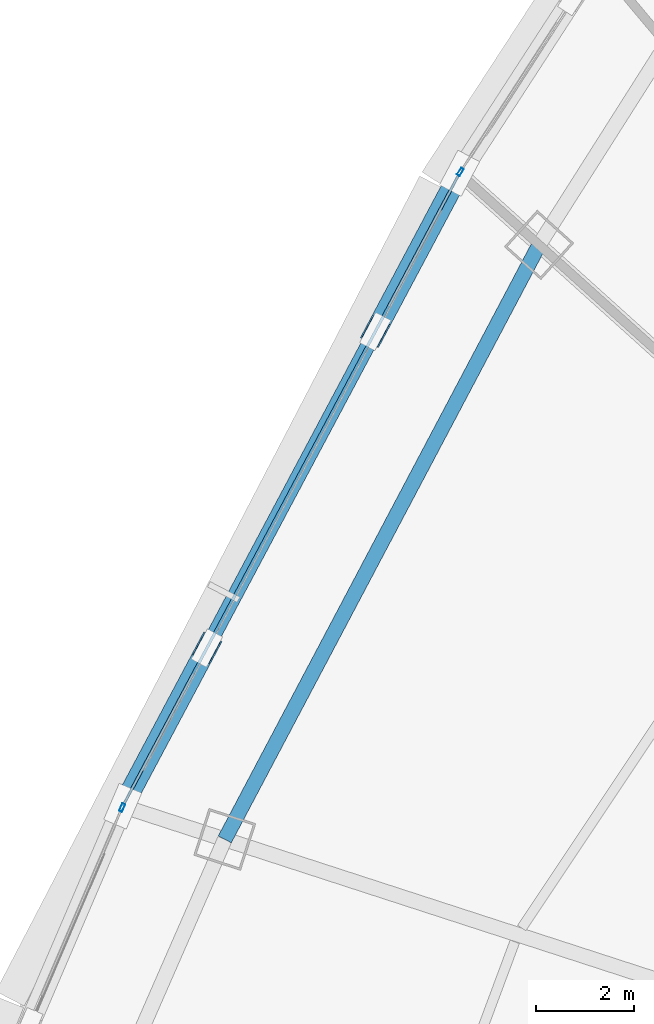
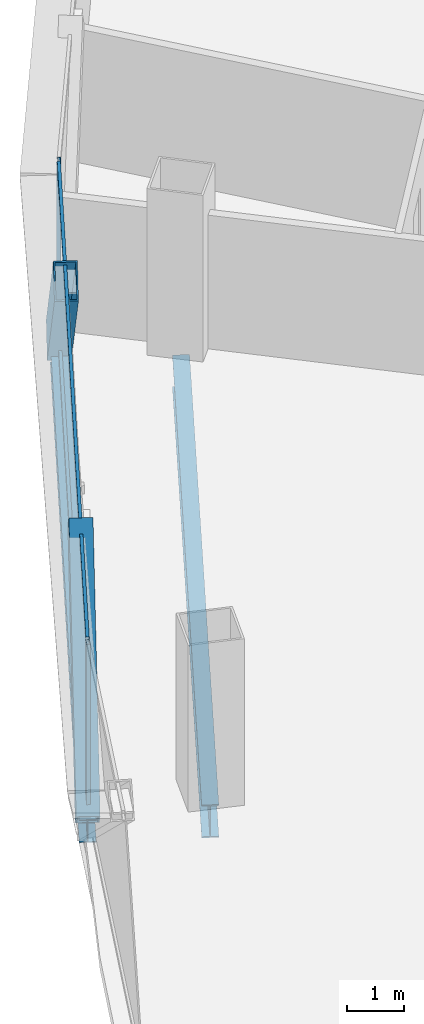
# One storey, part 14 of 38: 6 members, 2 beams, 3 elements without a shape of their own.
"""IFC4 building model written with IfcOpenShell, lengths in metres."""

from ifc_helpers import new_model, si_unit, direction, frame, origin, origin_2d, place, context, subcontext, project, spatial, hollow_rectangle, i_section, extrude, source, transform, mapped, material, layer, layer_set, material_profile, profile_set, type_object, element, aggregate, save


model = new_model("IFC4")

# Units and contexts
model_context = context("Model", 3, precision=1e-05, world=origin(), true_north=direction((0.0, 1.0)))
body_context = subcontext(model_context, "Body", "Model", "MODEL_VIEW")
ifc_project = project(units=[si_unit("LENGTHUNIT", "METRE"), si_unit("AREAUNIT", "SQUARE_METRE"), si_unit("VOLUMEUNIT", "CUBIC_METRE"), si_unit("PLANEANGLEUNIT", "RADIAN"), si_unit("MASSUNIT", "GRAM", prefix="KILO"), si_unit("THERMODYNAMICTEMPERATUREUNIT", "KELVIN"), si_unit("POWERUNIT", "WATT")], contexts=[model_context])

# Site, building, storey
site_placement = place(None, origin())
site = spatial("IfcSite", under=ifc_project, at=site_placement, CompositionType="ELEMENT")
building_placement = place(site_placement, origin())
building = spatial("IfcBuilding", under=site, at=building_placement, Name="Yunzhuo Pagoda Commons", CompositionType="ELEMENT")
storey_placement = place(building_placement, frame((0.0, 0.0, 81.179931640625)))
storey = spatial("IfcBuildingStorey", under=building, at=storey_placement, Name="L20", CompositionType="ELEMENT", Elevation=81.179931640625)

# Beams
ifc_material_1 = material(Name="Structural steel Q355B", Category="steel")
ifc_material_profile_1 = material_profile(ifc_material_1, i_section(OverallWidth=0.300048828125, OverallDepth=0.488037109375, WebThickness=0.010986328125, FlangeThickness=0.01806640625, at=origin_2d()), Name="Structural steel Q355B")
ifc_profile_set_1 = profile_set([ifc_material_profile_1], Name="Structural steel Q355B")
beam_type_1 = type_object("IfcBeamType", Name="B-SP1 Beam HM 488x300x11x18", PredefinedType="BEAM", material=ifc_profile_set_1)
shared_shape_1 = source(origin(), body_context, "Body", "SweptSolid", [
    extrude(i_section(OverallWidth=0.300048828125, OverallDepth=0.488037109375, WebThickness=0.010986328125, FlangeThickness=0.01806640625, at=origin_2d()), origin(), (0.0, 0.0, 1.0), 14.572265625),
])
beam_1_placement = place(storey_placement, frame((21.7802734375, 57.308349609375, -0.50390625), z_axis=(-0.46974105662, -0.882804247682, 0.0), x_axis=(0.882804247682, -0.46974105662, 0.0)))
element("IfcBeam", 1, at=beam_1_placement, inside=storey, type_object=beam_type_1, Name="L20 facade edge spandrel beam F3.2", PredefinedType="BEAM", context=body_context, shape_type="MappedRepresentation", body=[
    mapped(shared_shape_1, transform((0.0, 0.0, 0.0), scale=1.0)),
])
ifc_material_profile_2 = material_profile(ifc_material_1, i_section(OverallWidth=0.300048828125, OverallDepth=0.699951171875, WebThickness=0.012939453125, FlangeThickness=0.02392578125, at=origin_2d()), Name="Structural steel Q355B")
ifc_profile_set_2 = profile_set([ifc_material_profile_2], Name="Structural steel Q355B")
beam_type_2 = type_object("IfcBeamType", Name="B-RG1 Beam HN 700x300x13x24", PredefinedType="BEAM", material=ifc_profile_set_2)
shared_shape_2 = source(origin(), body_context, "Body", "SweptSolid", [
    extrude(i_section(OverallWidth=0.300048828125, OverallDepth=0.699951171875, WebThickness=0.012939453125, FlangeThickness=0.02392578125, at=origin_2d()), origin(), (0.0, 0.0, 1.0), 13.66748046875),
])
beam_2_placement = place(storey_placement, frame((23.397216796875, 55.852294921875, -0.60986328125), z_axis=(-0.467383716456, -0.88405455804, 0.0), x_axis=(0.88405455804, -0.467383716456, 0.0)))
element("IfcBeam", 2, at=beam_2_placement, inside=storey, type_object=beam_type_2, Name="L20 column-ring beam 10", PredefinedType="BEAM", context=body_context, shape_type="MappedRepresentation", body=[
    mapped(shared_shape_2, transform((0.0, 0.0, 0.0), scale=1.0)),
])

# Members
ifc_material_2 = material(Name="Structural steel Q420B", Category="steel")
ifc_material_profile_3 = material_profile(ifc_material_2, hollow_rectangle(XDim=0.419921875, YDim=0.719970703125, WallThickness=0.028076171875, at=origin_2d()), Name="Structural steel Q420B")
ifc_profile_set_3 = profile_set([ifc_material_profile_3], Name="Structural steel Q420B")
member_type_1 = type_object("IfcMemberType", Name="M-DL1 Brace BOX 720x420x28", PredefinedType="BRACE", material=ifc_profile_set_3)
shared_shape_3 = source(origin(), body_context, "Body", "SweptSolid", [
    extrude(hollow_rectangle(XDim=0.419921875, YDim=0.719970703125, WallThickness=0.028076171875, at=origin_2d()), origin(), (0.0, 0.0, 1.0), 5.26416015625),
])
member_1_placement = place(storey_placement, frame((21.7802734375, 57.308349609375, -0.260009765625), z_axis=(-0.325102900976, -0.610924467127, 0.721858295819), x_axis=(0.88278665507, -0.469774117668, 0.0)))
element("IfcMember", 3, at=member_1_placement, inside=storey, type_object=member_type_1, Name="L20 facade diamond brace F3.2L", PredefinedType="BRACE", context=body_context, shape_type="MappedRepresentation", body=[
    mapped(shared_shape_3, transform((0.0, 0.0, 0.0), scale=1.0)),
])
shared_shape_4 = source(origin(), body_context, "Body", "SweptSolid", [
    extrude(hollow_rectangle(XDim=0.419921875, YDim=0.719970703125, WallThickness=0.028076171875, at=origin_2d()), origin(), (0.0, 0.0, 1.0), 5.263916015625),
])
member_2_placement = place(storey_placement, frame((14.93505859375, 44.44384765625, -0.260009765625), z_axis=(0.325029155877, 0.610913818667, 0.721900515301), x_axis=(-0.88282745087, 0.46969744729, 0.0)))
element("IfcMember", 4, at=member_2_placement, inside=storey, type_object=member_type_1, Name="L20 facade diamond brace F3.2R", PredefinedType="BRACE", context=body_context, shape_type="MappedRepresentation", body=[
    mapped(shared_shape_4, transform((0.0, 0.0, 0.0), scale=1.0)),
])

# Curtain wall, member
ifc_material_3 = material(Name="Anodized aluminium 6063-T6", Category="aluminium")
ifc_layer = layer(ifc_material_3, 0.1650390625)
ifc_layer_set = layer_set([ifc_layer], Name="Anodized aluminium 6063-T6")
curtain_wall_type = type_object("IfcCurtainWallType", Name="CW-LOW Low-Zone Ribbon Curtain Wall", PredefinedType="NOTDEFINED", material=ifc_layer_set)
curtain_wall_1_placement = place(storey_placement, origin())
curtain_wall_1 = element("IfcCurtainWall", 5, at=curtain_wall_1_placement, inside=storey, type_object=curtain_wall_type, Name="L20 curtain wall CW-L20-F3B2", PredefinedType="NOTDEFINED")
ifc_material_profile_4 = material_profile(ifc_material_3, hollow_rectangle(XDim=0.06494140625, YDim=0.1650390625, WallThickness=0.00390625, at=origin_2d()), Name="Anodized aluminium 6063-T6")
ifc_profile_set_4 = profile_set([ifc_material_profile_4], Name="Anodized aluminium 6063-T6")
member_type_2 = type_object("IfcMemberType", Name="CW-LOW-M Mullion RHS 165x65x4", PredefinedType="MULLION", material=ifc_profile_set_4)
shared_shape_5 = source(origin(), body_context, "Body", "SweptSolid", [
    extrude(hollow_rectangle(XDim=0.06494140625, YDim=0.1650390625, WallThickness=0.00390625, at=origin_2d()), origin(), (0.0, 0.0, 1.0), 3.5400390625),
])
member_3_placement = place(storey_placement, frame((21.7978515625, 57.335693359375, 0.0), z_axis=(0.0, 0.0, 1.0), x_axis=(0.838906636672, -0.544275348466, 0.0)))
member_3 = element("IfcMember", 6, at=member_3_placement, type_object=member_type_2, Name="CW mullion 2", PredefinedType="MULLION", context=body_context, shape_type="MappedRepresentation", body=[
    mapped(shared_shape_5, transform((0.0, 0.0, 0.0), scale=1.0)),
])
aggregate(curtain_wall_1, [member_3])

curtain_wall_2_placement = place(storey_placement, origin())
curtain_wall_2 = element("IfcCurtainWall", 7, at=curtain_wall_2_placement, inside=storey, type_object=curtain_wall_type, Name="L20 curtain wall CW-L20-F3B4", PredefinedType="NOTDEFINED")
member_4_placement = place(storey_placement, frame((14.922119140625, 44.41357421875, 0.0), z_axis=(0.0, 0.0, 1.0), x_axis=(0.919250024103, -0.39367422215, 0.0)))
member_4 = element("IfcMember", 8, at=member_4_placement, type_object=member_type_2, Name="CW mullion 1", PredefinedType="MULLION", context=body_context, shape_type="MappedRepresentation", body=[
    mapped(shared_shape_5, transform((0.0, 0.0, 0.0), scale=1.0)),
])
aggregate(curtain_wall_2, [member_4])

# Curtain wall, members
curtain_wall_3_placement = place(storey_placement, origin())
curtain_wall_3 = element("IfcCurtainWall", 9, at=curtain_wall_3_placement, inside=storey, type_object=curtain_wall_type, Name="L20 curtain wall CW-L20-F3B3", PredefinedType="NOTDEFINED")
ifc_material_profile_5 = material_profile(ifc_material_3, hollow_rectangle(XDim=0.06005859375, YDim=0.139892578125, WallThickness=0.00341796875, at=origin_2d()), Name="Anodized aluminium 6063-T6")
ifc_profile_set_5 = profile_set([ifc_material_profile_5], Name="Anodized aluminium 6063-T6")
member_type_3 = type_object("IfcMemberType", Name="CW-LOW-T Transom RHS 140x60x3.5", PredefinedType="USERDEFINED", material=ifc_profile_set_5)
shared_shape_6 = source(origin(), body_context, "Body", "SweptSolid", [
    extrude(hollow_rectangle(XDim=0.06005859375, YDim=0.139892578125, WallThickness=0.00341796875, at=origin_2d()), origin(), (0.0, 0.0, 1.0), 14.442626953125),
])
member_5_placement = place(storey_placement, frame((21.749755859375, 57.2509765625, 0.030029296875), z_axis=(-0.46974837333, -0.882800354414, 0.0), x_axis=(0.882800354414, -0.46974837333, 0.0)))
member_5 = element("IfcMember", 10, at=member_5_placement, type_object=member_type_3, Name="CW transom 1.1", ObjectType="TRANSOM", PredefinedType="USERDEFINED", context=body_context, shape_type="MappedRepresentation", body=[
    mapped(shared_shape_6, transform((0.0, 0.0, 0.0), scale=1.0)),
])
member_6_placement = place(storey_placement, frame((21.749755859375, 57.2509765625, 3.510009765625), z_axis=(-0.46974837333, -0.882800354414, 0.0), x_axis=(0.882800354414, -0.46974837333, 0.0)))
member_6 = element("IfcMember", 11, at=member_6_placement, type_object=member_type_3, Name="CW transom 1.2", ObjectType="TRANSOM", PredefinedType="USERDEFINED", context=body_context, shape_type="MappedRepresentation", body=[
    mapped(shared_shape_6, transform((0.0, 0.0, 0.0), scale=1.0)),
])
aggregate(curtain_wall_3, [member_5, member_6])

save(model, "model.ifc")
